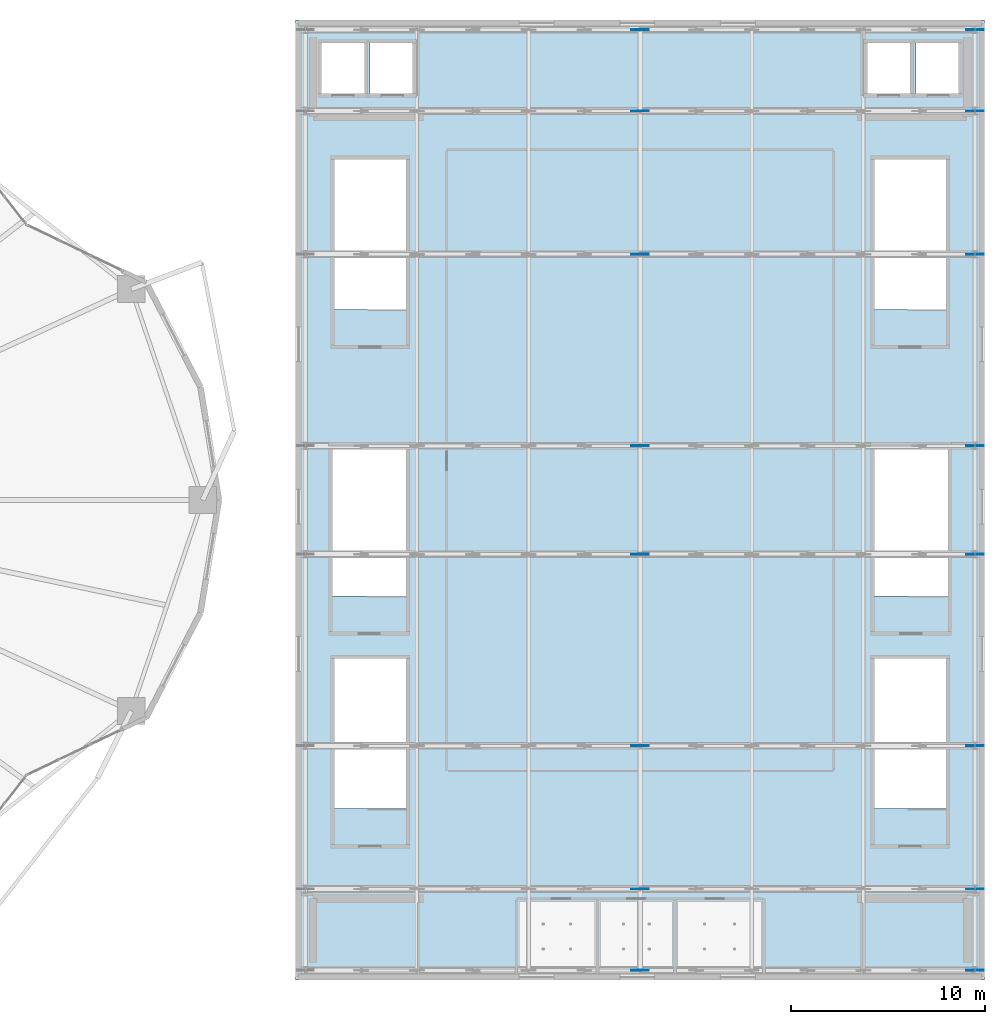
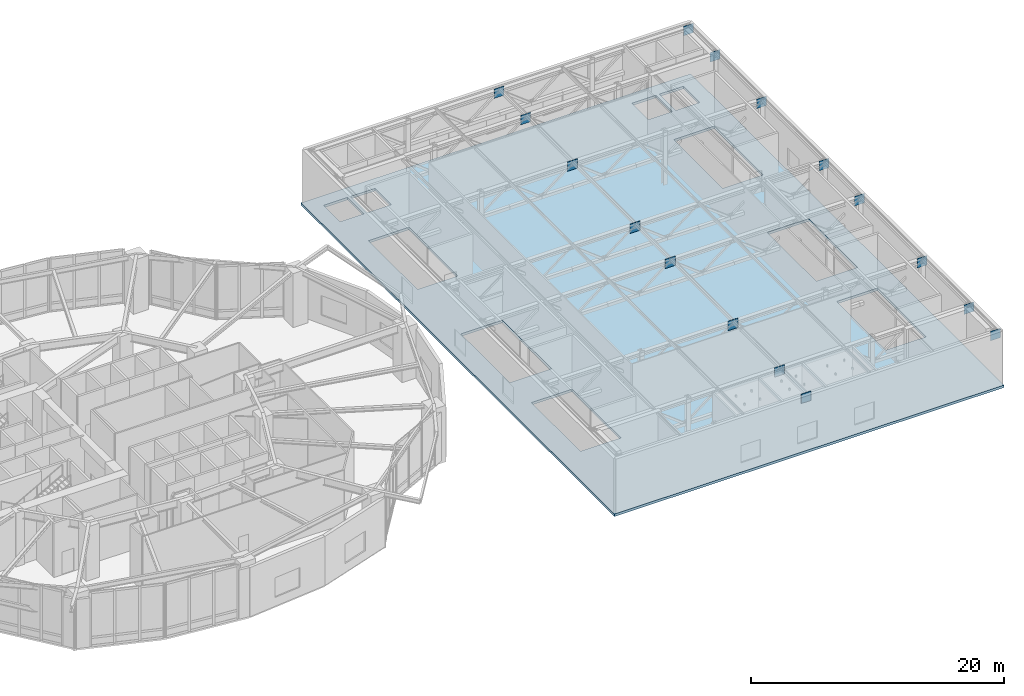
# One storey, part 16 of 29: 16 plates, 1 slab.
"""IFC4 building model written with IfcOpenShell, lengths in metres."""

import ifcopenshell
import ifcopenshell.guid

model = None  # the IFC model being written
_history = None  # IfcOwnerHistory: only IFC2X3 demands one
_inside = {}  # id of a spatial element -> (the spatial element, [elements in it])
_under = {}  # id of a project, library or spatial element -> (it, [spatial elements below it])
_declared = {}  # id of a project -> (the project, [libraries it declares])
_typed = {}  # id of a type object -> (the type object, [elements of that type])
_made_of = {}  # id of a material, layer set ... -> (it, [elements and type objects made of it])


def new_model(schema):
    """Start an empty IFC model of exactly this schema.

    Asked for "IFC4X3", IfcOpenShell would pick the latest addendum, in which some entities
    have other attributes; the version numbers below select the first issue.
    IFC2X3 requires an IfcOwnerHistory on every rooted entity: one is made here for all.
    """
    global model, _history
    if schema == "IFC4X3":
        model = ifcopenshell.file(schema_version=(4, 3, 0, 0))
    else:
        model = ifcopenshell.file(schema=schema)
    _inside.clear()
    _under.clear()
    _declared.clear()
    _typed.clear()
    _made_of.clear()
    _history = None
    if model.schema == "IFC2X3":
        org = make("IfcOrganization", Name="unknown")
        user = make(
            "IfcPersonAndOrganization",
            ThePerson=make("IfcPerson", FamilyName="unknown"),
            TheOrganization=org,
        )
        app = make(
            "IfcApplication",
            ApplicationDeveloper=org,
            Version="unknown",
            ApplicationFullName="unknown",
            ApplicationIdentifier="unknown",
        )
        _history = make(
            "IfcOwnerHistory",
            OwningUser=user,
            OwningApplication=app,
            ChangeAction="ADDED",
            CreationDate=0,
        )
    return model


def make(cls, **values):
    """One entity of the class cls with the attributes given. An attribute that is None is left unset."""
    return model.create_entity(
        cls, **{name: value for name, value in values.items() if value is not None}
    )


def rooted(cls, **values):
    """An entity with a GlobalId (a new one), such as an element, a storey or a relation."""
    return make(cls, GlobalId=ifcopenshell.guid.new(), OwnerHistory=_history, **values)


def si_unit(unit_type, name, prefix=None):
    """IfcSIUnit, for example si_unit("LENGTHUNIT", "METRE", prefix="MILLI")."""
    return make("IfcSIUnit", UnitType=unit_type, Prefix=prefix, Name=name)


def assignment(units):
    """IfcUnitAssignment: the units of a project."""
    return None if units is None else make("IfcUnitAssignment", Units=units)


def point(xyz):
    """IfcCartesianPoint."""
    return None if xyz is None else make("IfcCartesianPoint", Coordinates=xyz)


def direction(xyz):
    """IfcDirection."""
    return None if xyz is None else make("IfcDirection", DirectionRatios=xyz)


def frame(location, z_axis=None, x_axis=None):
    """IfcAxis2Placement3D, a coordinate frame: its origin and axes. An axis left out is left unset."""
    return make(
        "IfcAxis2Placement3D",
        Location=point(location),
        Axis=direction(z_axis),
        RefDirection=direction(x_axis),
    )


def frame_2d(location, x_axis=None):
    """IfcAxis2Placement2D, a coordinate frame in the plane: its origin and x axis."""
    return make(
        "IfcAxis2Placement2D", Location=point(location), RefDirection=direction(x_axis)
    )


def origin():
    """The frame at (0, 0, 0) with its axes left unset."""
    return frame((0.0, 0.0, 0.0))


def origin_2d():
    """The frame at (0, 0) in the plane with its x axis left unset."""
    return frame_2d((0.0, 0.0))


def place(relative_to, where):
    """IfcLocalPlacement: puts the frame where relative to a parent placement (None: the world)."""
    return make(
        "IfcLocalPlacement", PlacementRelTo=relative_to, RelativePlacement=where
    )


def context(
    kind, dimensions, precision=None, world=None, true_north=None, identifier=None
):
    """IfcGeometricRepresentationContext, for example the 3D "Model" context."""
    return make(
        "IfcGeometricRepresentationContext",
        ContextIdentifier=identifier,
        ContextType=kind,
        CoordinateSpaceDimension=dimensions,
        Precision=precision,
        WorldCoordinateSystem=world,
        TrueNorth=true_north,
    )


def subcontext(parent, identifier, kind, view, scale=None):
    """IfcGeometricRepresentationSubContext, for example "Body" below "Model"."""
    return make(
        "IfcGeometricRepresentationSubContext",
        ContextIdentifier=identifier,
        ContextType=kind,
        ParentContext=parent,
        TargetScale=scale,
        TargetView=view,
    )


def project(units=None, contexts=None):
    """IfcProject with its units and contexts."""
    return rooted(
        "IfcProject",
        Name="project",
        RepresentationContexts=contexts,
        UnitsInContext=assignment(units),
    )


def spatial(cls, under=None, at=None, **own):
    """A site, building, storey or space (cls), placed at a placement, below another one or the project."""
    s = rooted(cls, ObjectPlacement=at, **own)
    if under is not None:
        _under.setdefault(under.id(), (under, []))[1].append(s)
    return s


def polyline(points):
    """IfcPolyline through the points."""
    return make("IfcPolyline", Points=[point(p) for p in points])


def profile(cls, at=None, kind="AREA", **sizes):
    """A parametric profile (cls). Its sizes go by their IFC names, for example OverallWidth=200.0."""
    return make(cls, ProfileType=kind, Position=at, **sizes)


def rectangle(**sizes):
    """IfcRectangleProfileDef."""
    return profile("IfcRectangleProfileDef", **sizes)


def outline(outer, holes=None, kind="AREA"):
    """IfcArbitraryClosedProfileDef: a profile drawn as a closed curve; with holes, ...WithVoids."""
    if holes is None:
        return make("IfcArbitraryClosedProfileDef", ProfileType=kind, OuterCurve=outer)
    return make(
        "IfcArbitraryProfileDefWithVoids",
        ProfileType=kind,
        OuterCurve=outer,
        InnerCurves=holes,
    )


def extrude(swept, where, along, depth):
    """IfcExtrudedAreaSolid: the profile swept, set in the frame where, extruded along a direction by depth."""
    return make(
        "IfcExtrudedAreaSolid",
        SweptArea=swept,
        Position=where,
        ExtrudedDirection=direction(along),
        Depth=depth,
    )


def shape(context_of_items, identifier, shape_type, items):
    """IfcShapeRepresentation: the items that make up one representation, for example the "Body"."""
    return make(
        "IfcShapeRepresentation",
        ContextOfItems=context_of_items,
        RepresentationIdentifier=identifier,
        RepresentationType=shape_type,
        Items=items,
    )


def material(Name=None, Category=None):
    """IfcMaterial."""
    return make("IfcMaterial", Name=Name, Category=Category)


def layer(
    of_material, thickness, ventilated=None, Name=None, Category=None, Priority=None
):
    """IfcMaterialLayer: one layer of a wall or slab, of a material (None: an air gap)."""
    return make(
        "IfcMaterialLayer",
        Material=of_material,
        LayerThickness=thickness,
        IsVentilated=ventilated,
        Name=Name,
        Category=Category,
        Priority=Priority,
    )


def layer_set(layers, Name=None):
    """IfcMaterialLayerSet."""
    return make("IfcMaterialLayerSet", MaterialLayers=layers, LayerSetName=Name)


def made_of(thing, what):
    """Note that an element or type object is made of a material, layer set ...; save() writes the relation."""
    if what is not None:
        _made_of.setdefault(what.id(), (what, []))[1].append(thing)
    return thing


def type_object(cls, material=None, **own):
    """A type object (cls), such as IfcWallType, which elements share."""
    return made_of(rooted(cls, **own), material)


def element(
    cls,
    number,
    at=None,
    inside=None,
    cuts=None,
    type_object=None,
    material=None,
    context=None,
    identifier="Body",
    shape_type=None,
    held_by="IfcProductDefinitionShape",
    body=None,
    shapes=None,
    **own,
):
    """One element of the class cls, such as IfcWall. Its Tag is "e" and its number.

    at: its placement. inside: the storey or other place that contains it. cuts: it is an
    opening in that element (IfcRelVoidsElement). A single representation is given by context,
    identifier, shape_type and body (its items); several are given by shapes. held_by: the class
    of the entity that holds the representations. save() writes the other relations.
    """
    e = rooted(cls, Tag="e%d" % number, ObjectPlacement=at, **own)
    if body is not None:
        shapes = [shape(context, identifier, shape_type, body)]
    if shapes is not None:
        e.Representation = make(held_by, Representations=shapes)
    if inside is not None:
        _inside.setdefault(inside.id(), (inside, []))[1].append(e)
    if cuts is not None:
        rooted(
            "IfcRelVoidsElement", RelatingBuildingElement=cuts, RelatedOpeningElement=e
        )
    if type_object is not None:
        _typed.setdefault(type_object.id(), (type_object, []))[1].append(e)
    return made_of(e, material)


def aggregate(whole, parts):
    """IfcRelAggregates: a whole, such as a stair, and the parts it consists of."""
    return rooted("IfcRelAggregates", RelatingObject=whole, RelatedObjects=parts)


def save(model, path):
    """Write the relations noted so far, then the file.

    IfcRelAggregates (storeys below a building ...), IfcRelContainedInSpatialStructure (elements
    in a storey), IfcRelDefinesByType, IfcRelAssociatesMaterial and IfcRelDeclares: one each for
    every whole, place, type object, material and project.
    """
    for whole, parts in _under.values():
        aggregate(whole, parts)
    for where, things in _inside.values():
        rooted(
            "IfcRelContainedInSpatialStructure",
            RelatedElements=things,
            RelatingStructure=where,
        )
    for kind, things in _typed.values():
        rooted("IfcRelDefinesByType", RelatedObjects=things, RelatingType=kind)
    for what, things in _made_of.values():
        rooted("IfcRelAssociatesMaterial", RelatedObjects=things, RelatingMaterial=what)
    for by, libraries in _declared.values():
        rooted("IfcRelDeclares", RelatingContext=by, RelatedDefinitions=libraries)
    model.write(path)


model = new_model("IFC4")

# Units and contexts
model_context = context("Model", 3, precision=1e-05, world=origin(), true_north=direction((0.0, 1.0)))
body_context = subcontext(model_context, "Body", "Model", "MODEL_VIEW")
ifc_project = project(units=[si_unit("LENGTHUNIT", "METRE"), si_unit("AREAUNIT", "SQUARE_METRE"), si_unit("VOLUMEUNIT", "CUBIC_METRE"), si_unit("PLANEANGLEUNIT", "RADIAN"), si_unit("MASSUNIT", "GRAM", prefix="KILO")], contexts=[model_context])

# Site, building, storey
site_placement = place(None, origin())
site = spatial("IfcSite", under=ifc_project, at=site_placement, CompositionType="ELEMENT")
building_placement = place(site_placement, origin())
building = spatial("IfcBuilding", under=site, at=building_placement, Name="Kolvaren Gate Tower and Convention Centre", CompositionType="ELEMENT")
storey_placement = place(building_placement, frame((0.0, 0.0, 21.0)))
storey = spatial("IfcBuildingStorey", under=building, at=storey_placement, Name="L04", CompositionType="ELEMENT", Elevation=21.0)

# Plates
ifc_material_1 = material(Name="Structural steel plate ASTM A572 Grade 345 MPa", Category="steel")
ifc_layer_1 = layer(ifc_material_1, 0.035888671875)
ifc_layer_set_1 = layer_set([ifc_layer_1], Name="Structural steel plate ASTM A572 Grade 345 MPa")
plate_type = type_object("IfcPlateType", Name="STR-PL-GUSSET-36", PredefinedType="USERDEFINED", material=ifc_layer_set_1)
for number, where, z_axis, x_axis, name in (
    (1, (80.0, 2.699951171875, 4.31005859375), (0.0, 0.0, 1.0), (1.0, 0.0, 0.0), "Roof Truss Concentric Node Gusset Plate GP-TR01-2"),
    (2, (97.300048828125, 2.699951171875, 4.31005859375), (0.0, 0.0, 1.0), (1.0, 0.0, 0.0), "Roof Truss Concentric Node Gusset Plate GP-TR01-3"),
    (3, (80.0, 6.89990234375, 4.31005859375), (0.0, 0.0, 1.0), (1.0, 0.0, 0.0), "Roof Truss Concentric Node Gusset Plate GP-TR02-2"),
    (4, (97.300048828125, 6.89990234375, 4.31005859375), (0.0, 0.0, 1.0), (1.0, 0.0, 0.0), "Roof Truss Concentric Node Gusset Plate GP-TR02-3"),
    (5, (80.0, 14.300048828125, 4.31005859375), (0.0, 0.0, 1.0), (1.0, 0.0, 0.0), "Roof Truss Concentric Node Gusset Plate GP-TR03-2"),
    (6, (97.300048828125, 14.300048828125, 4.31005859375), (0.0, 0.0, 1.0), (1.0, 0.0, 0.0), "Roof Truss Concentric Node Gusset Plate GP-TR03-3"),
    (7, (80.0, 24.199951171875, 4.31005859375), (0.0, 0.0, 1.0), (1.0, 0.0, 0.0), "Roof Truss Concentric Node Gusset Plate GP-TR04-2"),
    (8, (97.300048828125, 24.199951171875, 4.31005859375), (0.0, 0.0, 1.0), (1.0, 0.0, 0.0), "Roof Truss Concentric Node Gusset Plate GP-TR04-3"),
    (9, (80.0, 29.800048828125, 4.31005859375), (0.0, 0.0, 1.0), (1.0, 0.0, 0.0), "Roof Truss Concentric Node Gusset Plate GP-TR05-2"),
    (10, (97.300048828125, 29.800048828125, 4.31005859375), (0.0, 0.0, 1.0), (1.0, 0.0, 0.0), "Roof Truss Concentric Node Gusset Plate GP-TR05-3"),
    (11, (80.0, 39.699951171875, 4.31005859375), (0.0, 0.0, 1.0), (1.0, 0.0, 0.0), "Roof Truss Concentric Node Gusset Plate GP-TR06-2"),
    (12, (97.300048828125, 39.699951171875, 4.31005859375), (0.0, 0.0, 1.0), (1.0, 0.0, 0.0), "Roof Truss Concentric Node Gusset Plate GP-TR06-3"),
    (13, (80.0, 47.10009765625, 4.31005859375), (0.0, 0.0, 1.0), (1.0, 0.0, 0.0), "Roof Truss Concentric Node Gusset Plate GP-TR07-2"),
    (14, (97.300048828125, 47.10009765625, 4.31005859375), (0.0, 0.0, 1.0), (1.0, 0.0, 0.0), "Roof Truss Concentric Node Gusset Plate GP-TR07-3"),
    (15, (80.0, 51.300048828125, 4.31005859375), (0.0, 0.0, 1.0), (1.0, 0.0, 0.0), "Roof Truss Concentric Node Gusset Plate GP-TR08-2"),
    (16, (97.300048828125, 51.300048828125, 4.31005859375), (0.0, 0.0, 1.0), (1.0, 0.0, 0.0), "Roof Truss Concentric Node Gusset Plate GP-TR08-3"),
):
    element("IfcPlate", number, at=place(storey_placement, frame(where, z_axis=z_axis, x_axis=x_axis)), inside=storey, type_object=plate_type, Name=name, ObjectType="GUSSET PLATE", PredefinedType="USERDEFINED", context=body_context, shape_type="SweptSolid", body=[
        extrude(rectangle(XDim=0.89990234375, YDim=0.035888671875, at=origin_2d()), origin(), (0.0, 0.0, 1.0), 0.89990234375),
    ])

# Slab
ifc_material_2 = material(Name="Concrete C40/50", Category="concrete")
ifc_layer_2 = layer(ifc_material_2, 0.239990234375)
ifc_layer_set_2 = layer_set([ifc_layer_2], Name="Concrete C40/50")
slab_type = type_object("IfcSlabType", Name="STR-SL-FLR-240", PredefinedType="FLOOR", material=ifc_layer_set_2)
slab_placement = place(storey_placement, frame((0.0, 0.0, -0.239990234375)))
element("IfcSlab", 17, at=slab_placement, inside=storey, type_object=slab_type, Name="Convention Centre L04 Structural Floor Slab", PredefinedType="FLOOR", context=body_context, shape_type="SweptSolid", body=[
    extrude(outline(polyline([(62.199951171875, 2.199951171875), (97.800048828125, 2.199951171875), (97.800048828125, 51.800048828125), (62.199951171875, 51.800048828125), (62.199951171875, 2.199951171875)]), holes=[polyline([(94.25, 48.0), (94.25, 50.60009765625), (96.449951171875, 50.60009765625), (96.449951171875, 48.0), (94.25, 48.0)]), polyline([(95.89990234375, 22.050048828125), (92.10009765625, 22.050048828125), (92.10009765625, 29.800048828125), (95.89990234375, 29.800048828125), (95.89990234375, 22.050048828125)]), polyline([(95.800048828125, 18.800048828125), (95.800048828125, 11.050048828125), (92.10009765625, 11.050048828125), (92.10009765625, 18.800048828125), (95.800048828125, 18.800048828125)]), polyline([(95.800048828125, 44.60009765625), (95.800048828125, 36.85009765625), (92.10009765625, 36.85009765625), (92.10009765625, 44.60009765625), (95.800048828125, 44.60009765625)]), polyline([(91.75, 48.0), (91.75, 50.60009765625), (93.949951171875, 50.60009765625), (93.949951171875, 48.0), (91.75, 48.0)]), polyline([(68.25, 48.0), (66.050048828125, 48.0), (66.050048828125, 50.60009765625), (68.25, 50.60009765625), (68.25, 48.0)]), polyline([(67.89990234375, 18.800048828125), (67.89990234375, 11.050048828125), (64.199951171875, 11.050048828125), (64.199951171875, 18.800048828125), (67.89990234375, 18.800048828125)]), polyline([(67.89990234375, 29.800048828125), (67.89990234375, 22.050048828125), (64.10009765625, 22.050048828125), (64.10009765625, 29.800048828125), (67.89990234375, 29.800048828125)]), polyline([(67.89990234375, 36.85009765625), (64.199951171875, 36.85009765625), (64.199951171875, 44.60009765625), (67.89990234375, 44.60009765625), (67.89990234375, 36.85009765625)]), polyline([(65.75, 48.0), (63.550048828125, 48.0), (63.550048828125, 50.60009765625), (65.75, 50.60009765625), (65.75, 48.0)])]), origin(), (0.0, 0.0, 1.0), 0.239990234375),
])

save(model, "model.ifc")
